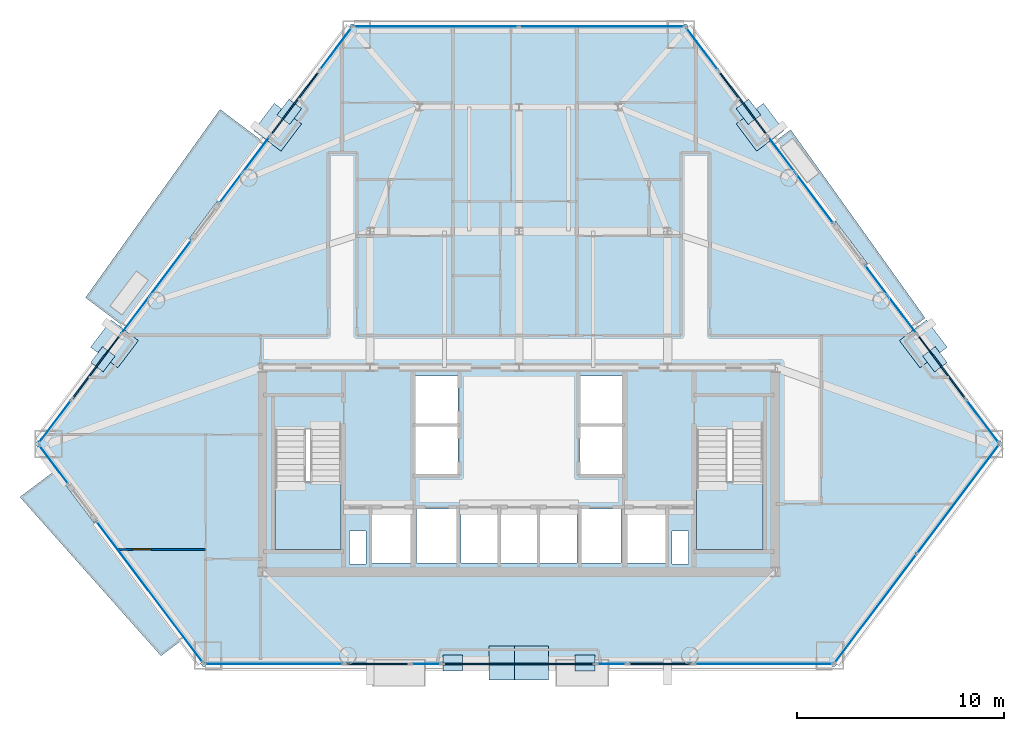
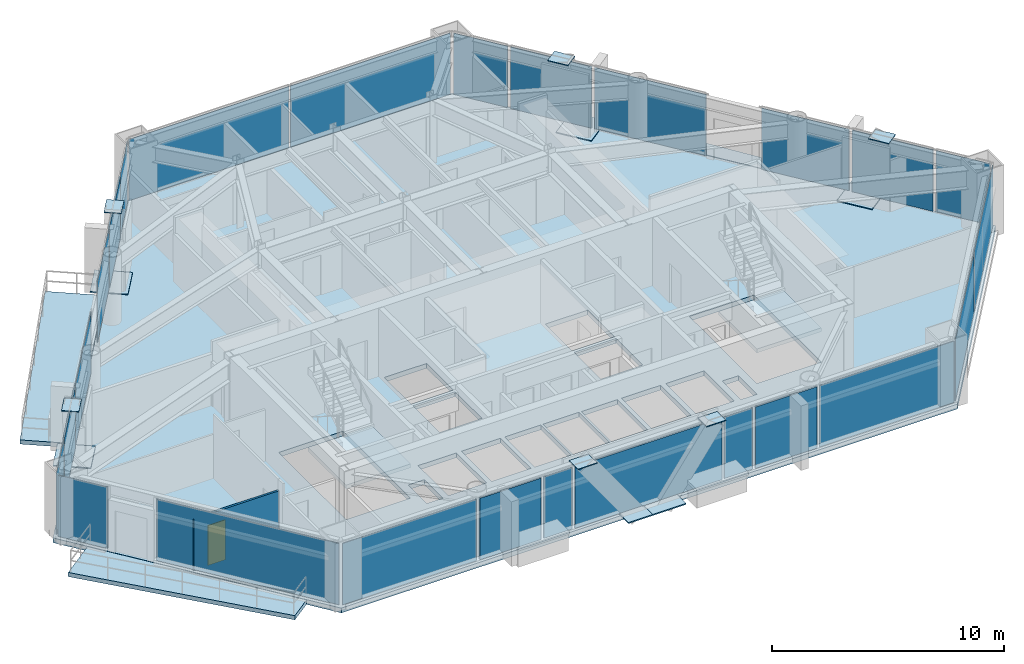
# One storey, part 5 of 11: 37 plates, 6 slabs, 1 door, 1 wall, 1 opening, 25 elements without a shape of their own.
"""IFC4 building model written with IfcOpenShell, lengths in metres."""

from ifc_helpers import new_model, si_unit, direction, frame, frame_2d, origin, origin_2d, place, context, subcontext, project, spatial, polyline, rectangle, outline, extrude, source, transform, mapped, material, layer, layer_set, type_object, type_shapes, element, fill, aggregate, save


model = new_model("IFC4")

# Units and contexts
model_context = context("Model", 3, precision=1e-05, world=origin(), true_north=direction((0.0, 1.0)))
body_context = subcontext(model_context, "Body", "Model", "MODEL_VIEW")
ifc_project = project(units=[si_unit("LENGTHUNIT", "METRE"), si_unit("AREAUNIT", "SQUARE_METRE"), si_unit("VOLUMEUNIT", "CUBIC_METRE"), si_unit("PLANEANGLEUNIT", "RADIAN"), si_unit("MASSUNIT", "GRAM", prefix="KILO")], contexts=[model_context])

# Site, building, storey
site_placement = place(None, origin())
site = spatial("IfcSite", under=ifc_project, at=site_placement, CompositionType="ELEMENT")
building_placement = place(site_placement, origin())
building = spatial("IfcBuilding", under=site, at=building_placement, Name="Talgorran Terracotta Tower", CompositionType="ELEMENT")
storey_placement = place(building_placement, frame((0.0, 0.0, 38.699951171875)))
storey = spatial("IfcBuildingStorey", under=building, at=storey_placement, Name="L09", CompositionType="ELEMENT", Elevation=38.699951171875)

# Plates
ifc_material_1 = material(Name="Steel Grade 350 (350L0)", Category="steel")
ifc_layer_1 = layer(ifc_material_1, 0.0400390625, Name="PL_CAP_MN05")
ifc_layer_set_1 = layer_set([ifc_layer_1], Name="Steel Grade 350 (350L0)")
plate_type_1 = type_object("IfcPlateType", Name="PL_CAP_MN05", PredefinedType="USERDEFINED", material=ifc_layer_set_1)
for number, where, z_axis, x_axis, name in (
    (1, (-3.197021484375, -18.49560546875, 3.320068359375), (0.0, 0.0, 1.0), (-1.0, 0.0, 0.0), "L09 Diagonal Frame End Cap SWF Top"),
    (2, (3.197021484375, -18.49560546875, 3.320068359375), (0.0, 0.0, 1.0), (1.0, 0.0, 0.0), "L09 Diagonal Frame End Cap SEF Top"),
    (3, (20.127685546875, -3.80029296875, 3.320068359375), (0.0, 0.0, 1.0), (0.601675625795, -0.798740534419, 0.0), "L09 Diagonal Frame End Cap NEL Top"),
    (4, (11.10888671875, 8.173583984375, 3.320068359375), (0.0, 0.0, 1.0), (-0.601675625795, 0.798740534419, 0.0), "L09 Diagonal Frame End Cap NEU Top"),
    (5, (-11.10888671875, 8.173583984375, 3.320068359375), (0.0, 0.0, 1.0), (0.601675625795, 0.798740534419, 0.0), "L09 Diagonal Frame End Cap NWU Top"),
    (6, (-20.127685546875, -3.80029296875, 3.320068359375), (0.0, 0.0, 1.0), (-0.601675625795, -0.798740534419, 0.0), "L09 Diagonal Frame End Cap NWL Top"),
):
    element("IfcPlate", number, at=place(storey_placement, frame(where, z_axis=z_axis, x_axis=x_axis)), inside=storey, type_object=plate_type_1, Name=name, ObjectType="CAP PLATE", PredefinedType="USERDEFINED", context=body_context, shape_type="SweptSolid", body=[
        extrude(rectangle(XDim=0.9599609375, YDim=0.760009765625, at=origin_2d()), origin(), (0.0, 0.0, 1.0), 0.0400390625),
    ])
ifc_layer_2 = layer(ifc_material_1, 0.06005859375, Name="PL_NODE_MN01")
ifc_layer_set_2 = layer_set([ifc_layer_2], Name="Steel Grade 350 (350L0)")
plate_type_2 = type_object("IfcPlateType", Name="PL_NODE_MN01", PredefinedType="USERDEFINED", material=ifc_layer_set_2)
for number, where, z_axis, x_axis, name in (
    (7, (-0.60888671875, -18.49560546875, -0.02001953125), (0.0, 0.0, 1.0), (-1.0, 0.0, 0.0), "L09 Diagonal Frame End Cap SWF Bot"),
    (8, (0.60888671875, -18.49560546875, -0.02001953125), (0.0, 0.0, 1.0), (1.0, 0.0, 0.0), "L09 Diagonal Frame End Cap SEF Bot"),
    (9, (19.56591796875, -3.054443359375, -0.02001953125), (0.0, 0.0, 1.0), (0.601675625795, -0.798740534419, 0.0), "L09 Diagonal Frame End Cap NEL Bot"),
    (10, (11.6708984375, 7.427734375, -0.02001953125), (0.0, 0.0, 1.0), (-0.601675625795, 0.798740534419, 0.0), "L09 Diagonal Frame End Cap NEU Bot"),
    (11, (-11.6708984375, 7.427734375, -0.02001953125), (0.0, 0.0, 1.0), (0.601675625795, 0.798740534419, 0.0), "L09 Diagonal Frame End Cap NWU Bot"),
    (12, (-19.56591796875, -3.054443359375, -0.02001953125), (0.0, 0.0, 1.0), (-0.601675625795, -0.798740534419, 0.0), "L09 Diagonal Frame End Cap NWL Bot"),
):
    element("IfcPlate", number, at=place(storey_placement, frame(where, z_axis=z_axis, x_axis=x_axis)), inside=storey, type_object=plate_type_2, Name=name, ObjectType="NODE PLATE", PredefinedType="USERDEFINED", context=body_context, shape_type="SweptSolid", body=[
        extrude(rectangle(XDim=1.64990234375, YDim=1.64990234375, at=origin_2d()), origin(), (0.0, 0.0, 1.0), 0.06005859375),
    ])

# Slabs
ifc_material_2 = material(Name="Concrete C40/50", Category="concrete")
ifc_layer_3 = layer(ifc_material_2, 0.219970703125, Name="SL_BALCONY_220")
ifc_layer_set_3 = layer_set([ifc_layer_3], Name="Concrete C40/50")
slab_type_1 = type_object("IfcSlabType", Name="SL_BALCONY_220", PredefinedType="FLOOR", material=ifc_layer_set_3)
slab_1_placement = place(storey_placement, frame((0.0, 0.0, -0.219970703125)))
element("IfcSlab", 13, at=slab_1_placement, inside=storey, type_object=slab_type_1, Name="L09 Outdoor Wave Balcony BAL-NE", PredefinedType="FLOOR", context=body_context, shape_type="SweptSolid", body=[
    extrude(outline(polyline([(12.403564453125, 6.74560546875), (19.13720703125, -2.1943359375), (19.656005859375, -1.803466796875), (13.148681640625, 7.306884765625), (12.403564453125, 6.74560546875)])), origin(), (0.0, 0.0, 1.0), 0.219970703125),
])
slab_2_placement = place(storey_placement, frame((0.0, 0.0, -0.219970703125)))
element("IfcSlab", 14, at=slab_2_placement, inside=storey, type_object=slab_type_1, Name="L09 Outdoor Wave Balcony BAL-NW", PredefinedType="FLOOR", context=body_context, shape_type="SweptSolid", body=[
    extrude(outline(polyline([(-19.13720703125, -2.1943359375), (-12.403564453125, 6.74560546875), (-14.45654296875, 8.2919921875), (-20.964111328125, -0.818115234375), (-19.13720703125, -2.1943359375)])), origin(), (0.0, 0.0, 1.0), 0.219970703125),
])
slab_3_placement = place(storey_placement, frame((0.0, 0.0, -0.219970703125)))
element("IfcSlab", 15, at=slab_3_placement, inside=storey, type_object=slab_type_1, Name="L09 Outdoor Wave Balcony BAL-SW", PredefinedType="FLOOR", context=body_context, shape_type="SweptSolid", body=[
    extrude(outline(polyline([(-16.2880859375, -17.373046875), (-22.44921875, -9.193115234375), (-24.137451171875, -10.464599609375), (-17.31591796875, -18.147216796875), (-16.2880859375, -17.373046875)])), origin(), (0.0, 0.0, 1.0), 0.219970703125),
])

# Stair, slab
stair_type = type_object("IfcStairType", Name="ST_FIRE_SCISSOR", PredefinedType="HALF_TURN_STAIR", material=ifc_material_2)
stair_1_placement = place(storey_placement, origin())
stair_1 = element("IfcStair", 16, at=stair_1_placement, inside=storey, type_object=stair_type, Name="L09 West Protected Fire Stair ST-01", PredefinedType="HALF_TURN_STAIR")
ifc_layer_4 = layer(ifc_material_2, 0.199951171875, Name="SL_LANDING_200")
ifc_layer_set_4 = layer_set([ifc_layer_4], Name="Concrete C40/50")
slab_type_2 = type_object("IfcSlabType", Name="SL_LANDING_200", PredefinedType="LANDING", material=ifc_layer_set_4)
slab_4_placement = place(storey_placement, frame((0.0, 0.0, 1.60009765625)))
slab_4 = element("IfcSlab", 17, at=slab_4_placement, type_object=slab_type_2, Name="ST-01 landing 1", PredefinedType="LANDING", context=body_context, shape_type="SweptSolid", body=[
    extrude(outline(polyline([(-11.800048828125, -9.719970703125), (-11.800048828125, -13.0), (-8.60009765625, -13.0), (-8.60009765625, -9.719970703125), (-11.800048828125, -9.719970703125)])), origin(), (0.0, 0.0, 1.0), 0.199951171875),
])
aggregate(stair_1, [slab_4])

stair_2_placement = place(storey_placement, origin())
stair_2 = element("IfcStair", 18, at=stair_2_placement, inside=storey, type_object=stair_type, Name="L09 East Protected Fire Stair ST-02", PredefinedType="HALF_TURN_STAIR")
slab_5_placement = place(storey_placement, frame((0.0, 0.0, 1.60009765625)))
slab_5 = element("IfcSlab", 19, at=slab_5_placement, type_object=slab_type_2, Name="ST-02 landing 1", PredefinedType="LANDING", context=body_context, shape_type="SweptSolid", body=[
    extrude(outline(polyline([(8.60009765625, -9.719970703125), (8.60009765625, -13.0), (11.800048828125, -13.0), (11.800048828125, -9.719970703125), (8.60009765625, -9.719970703125)])), origin(), (0.0, 0.0, 1.0), 0.199951171875),
])
aggregate(stair_2, [slab_5])

# Slab
ifc_layer_5 = layer(ifc_material_2, 0.264892578125, Name="SL_TOWER_265")
ifc_layer_set_5 = layer_set([ifc_layer_5], Name="Concrete C40/50")
slab_type_3 = type_object("IfcSlabType", Name="SL_TOWER_265", PredefinedType="FLOOR", material=ifc_layer_set_5)
slab_6_placement = place(storey_placement, frame((0.0, 0.0, -0.25)))
element("IfcSlab", 20, at=slab_6_placement, inside=storey, type_object=slab_type_3, Name="Storey L09 Structural Floor Slab", PredefinedType="FLOOR", context=body_context, shape_type="SweptSolid", body=[
    extrude(outline(polyline([(-23.409912109375, -7.892333984375), (-15.30322265625, -18.655517578125), (15.30322265625, -18.655517578125), (23.409912109375, -7.892333984375), (8.106689453125, 12.42578125), (-8.106689453125, 12.42578125), (-23.409912109375, -7.892333984375)]), holes=[polyline([(-11.800048828125, -7.199951171875), (-11.800048828125, -13.0), (-8.60009765625, -13.0), (-8.60009765625, -7.199951171875), (-11.800048828125, -7.199951171875)]), polyline([(8.60009765625, -7.199951171875), (8.60009765625, -13.0), (11.800048828125, -13.0), (11.800048828125, -7.199951171875), (8.60009765625, -7.199951171875)]), polyline([(-7.10009765625, -13.64990234375), (-5.199951171875, -13.64990234375), (-5.199951171875, -11.050048828125), (-7.10009765625, -11.050048828125), (-7.10009765625, -13.64990234375)]), polyline([(5.199951171875, -13.64990234375), (7.10009765625, -13.64990234375), (7.10009765625, -11.050048828125), (5.199951171875, -11.050048828125), (5.199951171875, -13.64990234375)]), polyline([(3.0, -13.64990234375), (4.949951171875, -13.64990234375), (4.949951171875, -11.050048828125), (3.0, -11.050048828125), (3.0, -13.64990234375)]), polyline([(-4.949951171875, -13.64990234375), (-3.0, -13.64990234375), (-3.0, -11.050048828125), (-4.949951171875, -11.050048828125), (-4.949951171875, -13.64990234375)]), polyline([(-5.050048828125, -9.35009765625), (-2.949951171875, -9.35009765625), (-2.949951171875, -7.050048828125), (-5.050048828125, -7.050048828125), (-5.050048828125, -9.35009765625)]), polyline([(-5.050048828125, -6.89990234375), (-2.949951171875, -6.89990234375), (-2.949951171875, -4.60009765625), (-5.050048828125, -4.60009765625), (-5.050048828125, -6.89990234375)]), polyline([(2.949951171875, -9.35009765625), (5.050048828125, -9.35009765625), (5.050048828125, -7.050048828125), (2.949951171875, -7.050048828125), (2.949951171875, -9.35009765625)]), polyline([(2.949951171875, -6.89990234375), (5.050048828125, -6.89990234375), (5.050048828125, -4.60009765625), (2.949951171875, -4.60009765625), (2.949951171875, -6.89990234375)]), polyline([(-2.800048828125, -13.64990234375), (-1.0, -13.64990234375), (-1.0, -11.050048828125), (-2.800048828125, -11.050048828125), (-2.800048828125, -13.64990234375)]), polyline([(-0.89990234375, -13.64990234375), (0.89990234375, -13.64990234375), (0.89990234375, -11.050048828125), (-0.89990234375, -11.050048828125), (-0.89990234375, -13.64990234375)]), polyline([(1.0, -13.64990234375), (2.800048828125, -13.64990234375), (2.800048828125, -11.050048828125), (1.0, -11.050048828125), (1.0, -13.64990234375)]), polyline([(-8.199951171875, -13.699951171875), (-7.39990234375, -13.699951171875), (-7.39990234375, -12.10009765625), (-8.199951171875, -12.10009765625), (-8.199951171875, -13.699951171875)]), polyline([(7.39990234375, -13.699951171875), (8.199951171875, -13.699951171875), (8.199951171875, -12.10009765625), (7.39990234375, -12.10009765625), (7.39990234375, -13.699951171875)])]), origin(), (0.0, 0.0, 1.0), 0.25),
])

# Curtain wall, plate
ifc_material_3 = material(Name="Unitised Low-E Double Glazing", Category="glass")
ifc_layer_6 = layer(ifc_material_3, 0.199951171875, Name="CW_SYS2_RES_LOW")
ifc_layer_set_6 = layer_set([ifc_layer_6], Name="Unitised Low-E Double Glazing")
curtain_wall_type = type_object("IfcCurtainWallType", Name="CW_SYS2_RES_LOW", PredefinedType="NOTDEFINED", material=ifc_layer_set_6)
curtain_wall_1_placement = place(storey_placement, origin())
curtain_wall_1 = element("IfcCurtainWall", 21, at=curtain_wall_1_placement, inside=storey, type_object=curtain_wall_type, Name="CW-L09-F10", PredefinedType="NOTDEFINED")
ifc_material_4 = material(Name="Low-E Laminated Vision Glass", Category="glass")
ifc_layer_7 = layer(ifc_material_4, 0.028076171875, Name="PLT_VISION_28")
ifc_layer_set_7 = layer_set([ifc_layer_7], Name="Low-E Laminated Vision Glass")
plate_type_3 = type_object("IfcPlateType", Name="PLT_VISION_28", PredefinedType="CURTAIN_PANEL", material=ifc_layer_set_7)
shared_shape_1 = source(origin(), body_context, "Body", "SweptSolid", [
    extrude(rectangle(XDim=2.30810546875, YDim=0.028076171875, at=origin_2d()), origin(), (0.0, 0.0, 1.0), 3.219970703125),
])
plate_1_placement = place(storey_placement, frame((-22.502197265625, -8.898193359375, 0.06494140625), z_axis=(0.0, 0.0, 1.0), x_axis=(0.601645881993, -0.798762938976, 0.0)))
plate_1 = element("IfcPlate", 22, at=plate_1_placement, type_object=plate_type_3, Name="CW-L09-10 panel 1.1", PredefinedType="CURTAIN_PANEL", context=body_context, shape_type="MappedRepresentation", body=[
    mapped(shared_shape_1, transform((0.0, 0.0, 0.0), scale=1.0)),
])
aggregate(curtain_wall_1, [plate_1])

curtain_wall_2_placement = place(storey_placement, origin())
curtain_wall_2 = element("IfcCurtainWall", 23, at=curtain_wall_2_placement, inside=storey, type_object=curtain_wall_type, Name="CW-L09-F11", PredefinedType="NOTDEFINED")
shared_shape_2 = source(origin(), body_context, "Body", "SweptSolid", [
    extrude(rectangle(XDim=8.51611328125, YDim=0.028076171875, at=origin_2d()), origin(), (0.0, 0.0, 1.0), 3.219970703125),
])
plate_2_placement = place(storey_placement, frame((-17.868408203125, -15.050537109375, 0.06494140625), z_axis=(0.0, 0.0, 1.0), x_axis=(0.601632772758, -0.798772812972, 0.0)))
plate_2 = element("IfcPlate", 24, at=plate_2_placement, type_object=plate_type_3, Name="CW-L09-11 panel 1.1", PredefinedType="CURTAIN_PANEL", context=body_context, shape_type="MappedRepresentation", body=[
    mapped(shared_shape_2, transform((0.0, 0.0, 0.0), scale=1.0)),
])
aggregate(curtain_wall_2, [plate_2])

curtain_wall_3_placement = place(storey_placement, origin())
curtain_wall_3 = element("IfcCurtainWall", 25, at=curtain_wall_3_placement, inside=storey, type_object=curtain_wall_type, Name="CW-L09-F1", PredefinedType="NOTDEFINED")
shared_shape_3 = source(origin(), body_context, "Body", "SweptSolid", [
    extrude(rectangle(XDim=6.660888671875, YDim=0.028076171875, at=origin_2d()), origin(), (0.0, 0.0, 1.0), 3.219970703125),
])
plate_3_placement = place(storey_placement, frame((-11.847900390625, -18.53564453125, 0.06494140625), z_axis=(0.0, 0.0, 1.0), x_axis=(1.0, 0.0, 0.0)))
plate_3 = element("IfcPlate", 26, at=plate_3_placement, type_object=plate_type_3, Name="CW-L09-1 panel 1.1", PredefinedType="CURTAIN_PANEL", context=body_context, shape_type="MappedRepresentation", body=[
    mapped(shared_shape_3, transform((0.0, 0.0, 0.0), scale=1.0)),
])
aggregate(curtain_wall_3, [plate_3])

curtain_wall_4_placement = place(storey_placement, origin())
curtain_wall_4 = element("IfcCurtainWall", 27, at=curtain_wall_4_placement, inside=storey, type_object=curtain_wall_type, Name="CW-L09-F1G", PredefinedType="NOTDEFINED")
plate_4_placement = place(storey_placement, frame((11.847900390625, -18.53564453125, 0.06494140625), z_axis=(0.0, 0.0, 1.0), x_axis=(1.0, 0.0, 0.0)))
plate_4 = element("IfcPlate", 28, at=plate_4_placement, type_object=plate_type_3, Name="CW-L09-1G panel 1.1", PredefinedType="CURTAIN_PANEL", context=body_context, shape_type="MappedRepresentation", body=[
    mapped(shared_shape_3, transform((0.0, 0.0, 0.0), scale=1.0)),
])
aggregate(curtain_wall_4, [plate_4])

curtain_wall_5_placement = place(storey_placement, origin())
curtain_wall_5 = element("IfcCurtainWall", 29, at=curtain_wall_5_placement, inside=storey, type_object=curtain_wall_type, Name="CW-L09-F1B", PredefinedType="NOTDEFINED")
ifc_material_5 = material(Name="Terracotta Insulated Spandrel", Category="masonry")
ifc_layer_8 = layer(ifc_material_5, 0.06494140625, Name="PLT_SPANDREL_TERRA")
ifc_layer_set_8 = layer_set([ifc_layer_8], Name="Terracotta Insulated Spandrel")
plate_type_4 = type_object("IfcPlateType", Name="PLT_SPANDREL_TERRA", PredefinedType="SHEET", material=ifc_layer_set_8)
shared_shape_4 = source(origin(), body_context, "Body", "SweptSolid", [
    extrude(rectangle(XDim=3.053955078125, YDim=0.06494140625, at=origin_2d()), origin(), (0.0, 0.0, 1.0), 3.219970703125),
])
plate_5_placement = place(storey_placement, frame((-6.8505859375, -18.53564453125, 0.06494140625), z_axis=(0.0, 0.0, 1.0), x_axis=(1.0, 0.0, 0.0)))
plate_5 = element("IfcPlate", 30, at=plate_5_placement, type_object=plate_type_4, Name="CW-L09-1B panel 1.1", PredefinedType="CURTAIN_PANEL", context=body_context, shape_type="MappedRepresentation", body=[
    mapped(shared_shape_4, transform((0.0, 0.0, 0.0), scale=1.0)),
])
aggregate(curtain_wall_5, [plate_5])

curtain_wall_6_placement = place(storey_placement, origin())
curtain_wall_6 = element("IfcCurtainWall", 31, at=curtain_wall_6_placement, inside=storey, type_object=curtain_wall_type, Name="CW-L09-F1F", PredefinedType="NOTDEFINED")
plate_6_placement = place(storey_placement, frame((6.8505859375, -18.53564453125, 0.06494140625), z_axis=(0.0, 0.0, 1.0), x_axis=(1.0, 0.0, 0.0)))
plate_6 = element("IfcPlate", 32, at=plate_6_placement, type_object=plate_type_4, Name="CW-L09-1F panel 1.1", PredefinedType="CURTAIN_PANEL", context=body_context, shape_type="MappedRepresentation", body=[
    mapped(shared_shape_4, transform((0.0, 0.0, 0.0), scale=1.0)),
])
aggregate(curtain_wall_6, [plate_6])

curtain_wall_7_placement = place(storey_placement, origin())
curtain_wall_7 = element("IfcCurtainWall", 33, at=curtain_wall_7_placement, inside=storey, type_object=curtain_wall_type, Name="CW-L09-F1C", PredefinedType="NOTDEFINED")
shared_shape_5 = source(origin(), body_context, "Body", "SweptSolid", [
    extrude(rectangle(XDim=1.39990234375, YDim=0.028076171875, at=origin_2d()), origin(), (0.0, 0.0, 1.0), 3.219970703125),
])
plate_7_placement = place(storey_placement, frame((-4.483642578125, -18.53564453125, 0.06494140625), z_axis=(0.0, 0.0, 1.0), x_axis=(1.0, 0.0, 0.0)))
plate_7 = element("IfcPlate", 34, at=plate_7_placement, type_object=plate_type_3, Name="CW-L09-1C panel 1.1", PredefinedType="CURTAIN_PANEL", context=body_context, shape_type="MappedRepresentation", body=[
    mapped(shared_shape_5, transform((0.0, 0.0, 0.0), scale=1.0)),
])
aggregate(curtain_wall_7, [plate_7])

curtain_wall_8_placement = place(storey_placement, origin())
curtain_wall_8 = element("IfcCurtainWall", 35, at=curtain_wall_8_placement, inside=storey, type_object=curtain_wall_type, Name="CW-L09-F1E", PredefinedType="NOTDEFINED")
plate_8_placement = place(storey_placement, frame((4.483642578125, -18.53564453125, 0.06494140625), z_axis=(0.0, 0.0, 1.0), x_axis=(1.0, 0.0, 0.0)))
plate_8 = element("IfcPlate", 36, at=plate_8_placement, type_object=plate_type_3, Name="CW-L09-1E panel 1.1", PredefinedType="CURTAIN_PANEL", context=body_context, shape_type="MappedRepresentation", body=[
    mapped(shared_shape_5, transform((0.0, 0.0, 0.0), scale=1.0)),
])
aggregate(curtain_wall_8, [plate_8])

curtain_wall_9_placement = place(storey_placement, origin())
curtain_wall_9 = element("IfcCurtainWall", 37, at=curtain_wall_9_placement, inside=storey, type_object=curtain_wall_type, Name="CW-L09-F1D", PredefinedType="NOTDEFINED")
shared_shape_6 = source(origin(), body_context, "Body", "SweptSolid", [
    extrude(rectangle(XDim=7.28759765625, YDim=0.06494140625, at=origin_2d()), origin(), (0.0, 0.0, 1.0), 3.219970703125),
])
plate_9_placement = place(storey_placement, frame((0.0, -18.53564453125, 0.06494140625), z_axis=(0.0, 0.0, 1.0), x_axis=(1.0, 0.0, 0.0)))
plate_9 = element("IfcPlate", 38, at=plate_9_placement, type_object=plate_type_4, Name="CW-L09-1D panel 1.1", PredefinedType="CURTAIN_PANEL", context=body_context, shape_type="MappedRepresentation", body=[
    mapped(shared_shape_6, transform((0.0, 0.0, 0.0), scale=1.0)),
])
aggregate(curtain_wall_9, [plate_9])

# Curtain wall, plates
curtain_wall_10_placement = place(storey_placement, origin())
curtain_wall_10 = element("IfcCurtainWall", 39, at=curtain_wall_10_placement, inside=storey, type_object=curtain_wall_type, Name="CW-L09-F2", PredefinedType="NOTDEFINED")
shared_shape_7 = source(origin(), body_context, "Body", "SweptSolid", [
    extrude(rectangle(XDim=6.564697265625, YDim=0.028076171875, at=origin_2d()), origin(), (0.0, 0.0, 1.0), 3.219970703125),
])
plate_10_placement = place(storey_placement, frame((17.25732421875, -15.86181640625, 0.06494140625), z_axis=(0.0, 0.0, 1.0), x_axis=(0.60163184062, 0.798773515054, 0.0)))
plate_10 = element("IfcPlate", 40, at=plate_10_placement, type_object=plate_type_3, Name="CW-L09-2 panel 1.1", PredefinedType="CURTAIN_PANEL", context=body_context, shape_type="MappedRepresentation", body=[
    mapped(shared_shape_7, transform((0.0, 0.0, 0.0), scale=1.0)),
])
plate_11_placement = place(storey_placement, frame((21.245849609375, -10.566162109375, 0.06494140625), z_axis=(0.0, 0.0, 1.0), x_axis=(0.60163184062, 0.798773515054, 0.0)))
plate_11 = element("IfcPlate", 41, at=plate_11_placement, type_object=plate_type_3, Name="CW-L09-2 panel 2.1", PredefinedType="CURTAIN_PANEL", context=body_context, shape_type="MappedRepresentation", body=[
    mapped(shared_shape_7, transform((0.0, 0.0, 0.0), scale=1.0)),
])
aggregate(curtain_wall_10, [plate_10, plate_11])

# Curtain wall, plate
curtain_wall_11_placement = place(storey_placement, origin())
curtain_wall_11 = element("IfcCurtainWall", 42, at=curtain_wall_11_placement, inside=storey, type_object=curtain_wall_type, Name="CW-L09-F40", PredefinedType="NOTDEFINED")
shared_shape_8 = source(origin(), body_context, "Body", "SweptSolid", [
    extrude(rectangle(XDim=2.526611328125, YDim=0.028076171875, at=origin_2d()), origin(), (0.0, 0.0, 1.0), 3.219970703125),
])
plate_12_placement = place(storey_placement, frame((22.4365234375, -6.79931640625, 0.06494140625), z_axis=(0.0, 0.0, 1.0), x_axis=(-0.601618845727, 0.798783302571, 0.0)))
plate_12 = element("IfcPlate", 43, at=plate_12_placement, type_object=plate_type_3, Name="CW-L09-40 panel 1.1", PredefinedType="CURTAIN_PANEL", context=body_context, shape_type="MappedRepresentation", body=[
    mapped(shared_shape_8, transform((0.0, 0.0, 0.0), scale=1.0)),
])
aggregate(curtain_wall_11, [plate_12])

curtain_wall_12_placement = place(storey_placement, origin())
curtain_wall_12 = element("IfcCurtainWall", 44, at=curtain_wall_12_placement, inside=storey, type_object=curtain_wall_type, Name="CW-L09-F61C", PredefinedType="NOTDEFINED")
plate_13_placement = place(storey_placement, frame((-22.4365234375, -6.79931640625, 0.06494140625), z_axis=(0.0, 0.0, 1.0), x_axis=(-0.601636935067, -0.798769677919, 0.0)))
plate_13 = element("IfcPlate", 45, at=plate_13_placement, type_object=plate_type_3, Name="CW-L09-61C panel 1.1", PredefinedType="CURTAIN_PANEL", context=body_context, shape_type="MappedRepresentation", body=[
    mapped(shared_shape_8, transform((0.0, 0.0, 0.0), scale=1.0)),
])
aggregate(curtain_wall_12, [plate_13])

curtain_wall_13_placement = place(storey_placement, origin())
curtain_wall_13 = element("IfcCurtainWall", 46, at=curtain_wall_13_placement, inside=storey, type_object=curtain_wall_type, Name="CW-L09-F40B", PredefinedType="NOTDEFINED")
shared_shape_9 = source(origin(), body_context, "Body", "SweptSolid", [
    extrude(rectangle(XDim=3.79052734375, YDim=0.06494140625, at=origin_2d()), origin(), (0.0, 0.0, 1.0), 3.219970703125),
])
type_shapes(plate_type_4, [shared_shape_4, shared_shape_6, shared_shape_9])
plate_14_placement = place(storey_placement, frame((20.4521484375, -4.16455078125, 0.06494140625), z_axis=(0.0, 0.0, 1.0), x_axis=(-0.601631192283, 0.798774003378, 0.0)))
plate_14 = element("IfcPlate", 47, at=plate_14_placement, type_object=plate_type_4, Name="CW-L09-40B panel 1.1", PredefinedType="CURTAIN_PANEL", context=body_context, shape_type="MappedRepresentation", body=[
    mapped(shared_shape_9, transform((0.0, 0.0, 0.0), scale=1.0)),
])
aggregate(curtain_wall_13, [plate_14])

curtain_wall_14_placement = place(storey_placement, origin())
curtain_wall_14 = element("IfcCurtainWall", 48, at=curtain_wall_14_placement, inside=storey, type_object=curtain_wall_type, Name="CW-L09-F41B", PredefinedType="NOTDEFINED")
plate_15_placement = place(storey_placement, frame((10.848388671875, 8.5859375, 0.06494140625), z_axis=(0.0, 0.0, 1.0), x_axis=(-0.601631192283, 0.798774003378, 0.0)))
plate_15 = element("IfcPlate", 49, at=plate_15_placement, type_object=plate_type_4, Name="CW-L09-41B panel 1.1", PredefinedType="CURTAIN_PANEL", context=body_context, shape_type="MappedRepresentation", body=[
    mapped(shared_shape_9, transform((0.0, 0.0, 0.0), scale=1.0)),
])
aggregate(curtain_wall_14, [plate_15])

curtain_wall_15_placement = place(storey_placement, origin())
curtain_wall_15 = element("IfcCurtainWall", 50, at=curtain_wall_15_placement, inside=storey, type_object=curtain_wall_type, Name="CW-L09-F60B", PredefinedType="NOTDEFINED")
plate_16_placement = place(storey_placement, frame((-10.8486328125, 8.5859375, 0.06494140625), z_axis=(0.0, 0.0, 1.0), x_axis=(-0.601631192283, -0.798774003378, 0.0)))
plate_16 = element("IfcPlate", 51, at=plate_16_placement, type_object=plate_type_4, Name="CW-L09-60B panel 1.1", PredefinedType="CURTAIN_PANEL", context=body_context, shape_type="MappedRepresentation", body=[
    mapped(shared_shape_9, transform((0.0, 0.0, 0.0), scale=1.0)),
])
aggregate(curtain_wall_15, [plate_16])

curtain_wall_16_placement = place(storey_placement, origin())
curtain_wall_16 = element("IfcCurtainWall", 52, at=curtain_wall_16_placement, inside=storey, type_object=curtain_wall_type, Name="CW-L09-F61B", PredefinedType="NOTDEFINED")
plate_17_placement = place(storey_placement, frame((-20.4521484375, -4.16455078125, 0.06494140625), z_axis=(0.0, 0.0, 1.0), x_axis=(-0.601631192283, -0.798774003378, 0.0)))
plate_17 = element("IfcPlate", 53, at=plate_17_placement, type_object=plate_type_4, Name="CW-L09-61B panel 1.1", PredefinedType="CURTAIN_PANEL", context=body_context, shape_type="MappedRepresentation", body=[
    mapped(shared_shape_9, transform((0.0, 0.0, 0.0), scale=1.0)),
])
aggregate(curtain_wall_16, [plate_17])

curtain_wall_17_placement = place(storey_placement, origin())
curtain_wall_17 = element("IfcCurtainWall", 54, at=curtain_wall_17_placement, inside=storey, type_object=curtain_wall_type, Name="CW-L09-F40C", PredefinedType="NOTDEFINED")
shared_shape_10 = source(origin(), body_context, "Body", "SweptSolid", [
    extrude(rectangle(XDim=4.092529296875, YDim=0.028076171875, at=origin_2d()), origin(), (0.0, 0.0, 1.0), 3.219970703125),
])
plate_18_placement = place(storey_placement, frame((17.996337890625, -0.904296875, 0.06494140625), z_axis=(0.0, 0.0, 1.0), x_axis=(-0.601620582489, 0.798781994492, 0.0)))
plate_18 = element("IfcPlate", 55, at=plate_18_placement, type_object=plate_type_3, Name="CW-L09-40C panel 1.1", PredefinedType="CURTAIN_PANEL", context=body_context, shape_type="MappedRepresentation", body=[
    mapped(shared_shape_10, transform((0.0, 0.0, 0.0), scale=1.0)),
])
aggregate(curtain_wall_17, [plate_18])

curtain_wall_18_placement = place(storey_placement, origin())
curtain_wall_18 = element("IfcCurtainWall", 56, at=curtain_wall_18_placement, inside=storey, type_object=curtain_wall_type, Name="CW-L09-F41", PredefinedType="NOTDEFINED")
shared_shape_11 = source(origin(), body_context, "Body", "SweptSolid", [
    extrude(rectangle(XDim=5.20947265625, YDim=0.028076171875, at=origin_2d()), origin(), (0.0, 0.0, 1.0), 3.219970703125),
])
plate_19_placement = place(storey_placement, frame((13.64013671875, 4.879638671875, 0.06494140625), z_axis=(0.0, 0.0, 1.0), x_axis=(-0.601625868181, 0.798778013427, 0.0)))
plate_19 = element("IfcPlate", 57, at=plate_19_placement, type_object=plate_type_3, Name="CW-L09-41 panel 1.1", PredefinedType="CURTAIN_PANEL", context=body_context, shape_type="MappedRepresentation", body=[
    mapped(shared_shape_11, transform((0.0, 0.0, 0.0), scale=1.0)),
])
aggregate(curtain_wall_18, [plate_19])

curtain_wall_19_placement = place(storey_placement, origin())
curtain_wall_19 = element("IfcCurtainWall", 58, at=curtain_wall_19_placement, inside=storey, type_object=curtain_wall_type, Name="CW-L09-F41C", PredefinedType="NOTDEFINED")
shared_shape_12 = source(origin(), body_context, "Body", "SweptSolid", [
    extrude(rectangle(XDim=2.516357421875, YDim=0.028076171875, at=origin_2d()), origin(), (0.0, 0.0, 1.0), 3.219970703125),
])
plate_20_placement = place(storey_placement, frame((8.866943359375, 11.216796875, 0.06494140625), z_axis=(0.0, 0.0, 1.0), x_axis=(-0.601613055834, 0.798787663306, 0.0)))
plate_20 = element("IfcPlate", 59, at=plate_20_placement, type_object=plate_type_3, Name="CW-L09-41C panel 1.1", PredefinedType="CURTAIN_PANEL", context=body_context, shape_type="MappedRepresentation", body=[
    mapped(shared_shape_12, transform((0.0, 0.0, 0.0), scale=1.0)),
])
aggregate(curtain_wall_19, [plate_20])

curtain_wall_20_placement = place(storey_placement, origin())
curtain_wall_20 = element("IfcCurtainWall", 60, at=curtain_wall_20_placement, inside=storey, type_object=curtain_wall_type, Name="CW-L09-F60", PredefinedType="NOTDEFINED")
plate_21_placement = place(storey_placement, frame((-8.8671875, 11.216796875, 0.06494140625), z_axis=(0.0, 0.0, 1.0), x_axis=(-0.60163716571, -0.798769504198, 0.0)))
plate_21 = element("IfcPlate", 61, at=plate_21_placement, type_object=plate_type_3, Name="CW-L09-60 panel 1.1", PredefinedType="CURTAIN_PANEL", context=body_context, shape_type="MappedRepresentation", body=[
    mapped(shared_shape_12, transform((0.0, 0.0, 0.0), scale=1.0)),
])
aggregate(curtain_wall_20, [plate_21])

# Curtain wall, plates
curtain_wall_21_placement = place(storey_placement, origin())
curtain_wall_21 = element("IfcCurtainWall", 62, at=curtain_wall_21_placement, inside=storey, type_object=curtain_wall_type, Name="CW-L09-F4", PredefinedType="NOTDEFINED")
shared_shape_13 = source(origin(), body_context, "Body", "SweptSolid", [
    extrude(rectangle(XDim=7.949462890625, YDim=0.028076171875, at=origin_2d()), origin(), (0.0, 0.0, 1.0), 3.219970703125),
])
plate_22_placement = place(storey_placement, frame((4.007080078125, 12.3056640625, 0.06494140625), z_axis=(0.0, 0.0, 1.0), x_axis=(-1.0, 0.0, 0.0)))
plate_22 = element("IfcPlate", 63, at=plate_22_placement, type_object=plate_type_3, Name="CW-L09-4 panel 1.1", PredefinedType="CURTAIN_PANEL", context=body_context, shape_type="MappedRepresentation", body=[
    mapped(shared_shape_13, transform((0.0, 0.0, 0.0), scale=1.0)),
])
plate_23_placement = place(storey_placement, frame((-4.007080078125, 12.3056640625, 0.06494140625), z_axis=(0.0, 0.0, 1.0), x_axis=(-1.0, 0.0, 0.0)))
plate_23 = element("IfcPlate", 64, at=plate_23_placement, type_object=plate_type_3, Name="CW-L09-4 panel 2.1", PredefinedType="CURTAIN_PANEL", context=body_context, shape_type="MappedRepresentation", body=[
    mapped(shared_shape_13, transform((0.0, 0.0, 0.0), scale=1.0)),
])
aggregate(curtain_wall_21, [plate_22, plate_23])

# Curtain wall, plate
curtain_wall_22_placement = place(storey_placement, origin())
curtain_wall_22 = element("IfcCurtainWall", 65, at=curtain_wall_22_placement, inside=storey, type_object=curtain_wall_type, Name="CW-L09-F60C", PredefinedType="NOTDEFINED")
shared_shape_14 = source(origin(), body_context, "Body", "SweptSolid", [
    extrude(rectangle(XDim=3.98974609375, YDim=0.028076171875, at=origin_2d()), origin(), (0.0, 0.0, 1.0), 3.219970703125),
])
plate_24_placement = place(storey_placement, frame((-13.273193359375, 5.366943359375, 0.06494140625), z_axis=(0.0, 0.0, 1.0), x_axis=(-0.601626074067, -0.798777858358, 0.0)))
plate_24 = element("IfcPlate", 66, at=plate_24_placement, type_object=plate_type_3, Name="CW-L09-60C panel 1.1", PredefinedType="CURTAIN_PANEL", context=body_context, shape_type="MappedRepresentation", body=[
    mapped(shared_shape_14, transform((0.0, 0.0, 0.0), scale=1.0)),
])
aggregate(curtain_wall_22, [plate_24])

curtain_wall_23_placement = place(storey_placement, origin())
curtain_wall_23 = element("IfcCurtainWall", 67, at=curtain_wall_23_placement, inside=storey, type_object=curtain_wall_type, Name="CW-L09-F61", PredefinedType="NOTDEFINED")
shared_shape_15 = source(origin(), body_context, "Body", "SweptSolid", [
    extrude(rectangle(XDim=5.6123046875, YDim=0.028076171875, at=origin_2d()), origin(), (0.0, 0.0, 1.0), 3.219970703125),
])
type_shapes(plate_type_3, [shared_shape_1, shared_shape_2, shared_shape_3, shared_shape_5, shared_shape_7, shared_shape_8, shared_shape_10, shared_shape_11, shared_shape_12, shared_shape_13, shared_shape_14, shared_shape_15])
plate_25_placement = place(storey_placement, frame((-17.539306640625, -0.29736328125, 0.06494140625), z_axis=(0.0, 0.0, 1.0), x_axis=(-0.601628731722, -0.79877585665, 0.0)))
plate_25 = element("IfcPlate", 68, at=plate_25_placement, type_object=plate_type_3, Name="CW-L09-61 panel 1.1", PredefinedType="CURTAIN_PANEL", context=body_context, shape_type="MappedRepresentation", body=[
    mapped(shared_shape_15, transform((0.0, 0.0, 0.0), scale=1.0)),
])
aggregate(curtain_wall_23, [plate_25])

# Wall, opening, door
ifc_material_6 = material(Name="Lightweight Steel Stud Partition", Category="steel")
ifc_layer_9 = layer(ifc_material_6, 0.10498046875, Name="WT_PART_110")
ifc_layer_set_9 = layer_set([ifc_layer_9], Name="Lightweight Steel Stud Partition")
wall_type = type_object("IfcWallType", Name="WT_PART_110", PredefinedType="PARTITIONING", material=ifc_layer_set_9)
wall_placement = place(storey_placement, frame((-19.412841796875, -13.0, 0.0), z_axis=(0.0, 0.0, 1.0), x_axis=(1.0, 0.0, 0.0)))
wall = element("IfcWall", 69, at=wall_placement, inside=storey, type_object=wall_type, Name="WL-L09-W-L09-R30", PredefinedType="PARTITIONING", context=body_context, shape_type="SweptSolid", body=[
    extrude(rectangle(XDim=4.2529296875, YDim=0.10498046875, at=frame_2d((2.12646484375, 0.0))), origin(), (0.0, 0.0, 1.0), 2.71337890625),
])
opening_placement = place(wall_placement, frame((0.738525390625, 0.0, 0.0)))
opening = element("IfcOpeningElement", 70, at=opening_placement, cuts=wall, Name="Opening DR-L09-R03", PredefinedType="OPENING", context=body_context, shape_type="SweptSolid", body=[
    extrude(rectangle(XDim=0.8858828125, YDim=2.10409765625, at=frame_2d((0.43994140625, 1.052001953125))), frame((0.0, 0.0625, 0.0), z_axis=(0.0, -1.0, 0.0), x_axis=(1.0, 0.0, 0.0)), (0.0, 0.0, 1.0), 0.125),
])
ifc_material_7 = material(Name="Solid-Core Painted Timber", Category="wood")
door_type = type_object("IfcDoorType", Name="DT_INT_880", OperationType="NOTDEFINED", PredefinedType="DOOR", material=ifc_material_7)
door_placement = place(opening_placement, origin())
door = element("IfcDoor", 71, at=door_placement, inside=storey, type_object=door_type, Name="DR-L09-R03", OperationType="SINGLE_SWING_LEFT", OverallHeight=2.10009765625, OverallWidth=0.8798828125, PredefinedType="DOOR", context=body_context, shape_type="SweptSolid", body=[
    extrude(rectangle(XDim=0.8798828125, YDim=2.10009765625, at=frame_2d((0.43994140625, 1.050048828125))), frame((0.0, 0.02490234375, 0.0), z_axis=(0.0, -1.0, 0.0), x_axis=(1.0, 0.0, 0.0)), (0.0, 0.0, 1.0), 0.050048828125),
])
fill(opening, door)

save(model, "model.ifc")
